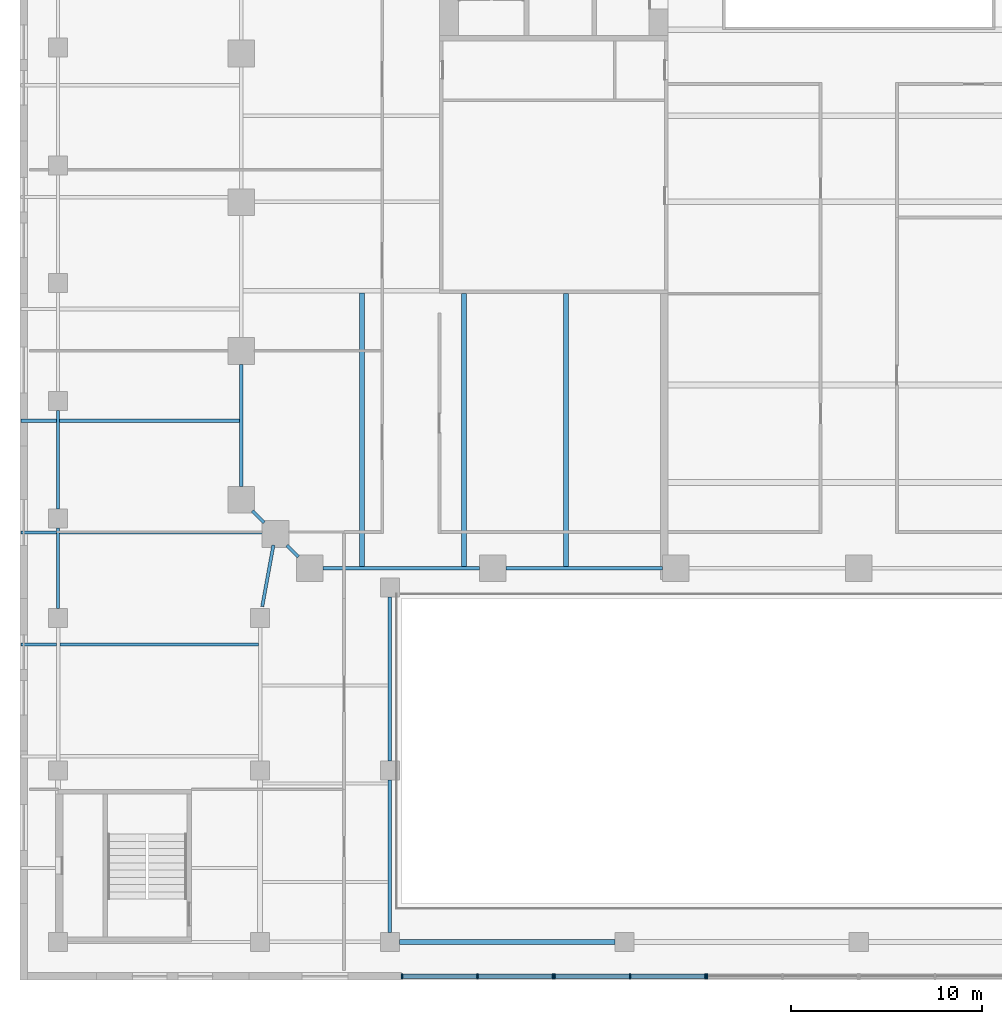
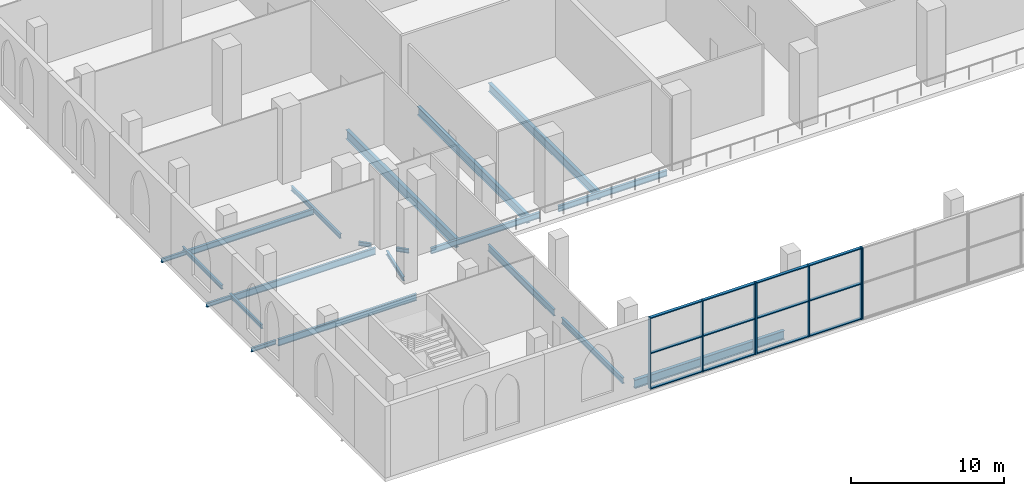
# One storey, part 2 of 21: 20 beams, 19 members, 3 elements without a shape of their own.
"""IFC4 building model written with IfcOpenShell, lengths in metres."""

from ifc_helpers import new_model, si_unit, direction, frame, origin, origin_2d, place, context, subcontext, project, spatial, rectangle, i_section, extrude, material, material_profile, profile_set, type_object, element, aggregate, save


model = new_model("IFC4")

# Units and contexts
model_context = context("Model", 3, precision=1e-05, world=origin(), true_north=direction((0.0, 1.0)))
body_context = subcontext(model_context, "Body", "Model", "MODEL_VIEW")
ifc_project = project(units=[si_unit("LENGTHUNIT", "METRE"), si_unit("AREAUNIT", "SQUARE_METRE"), si_unit("VOLUMEUNIT", "CUBIC_METRE"), si_unit("PLANEANGLEUNIT", "RADIAN"), si_unit("MASSUNIT", "GRAM", prefix="KILO")], contexts=[model_context])

# Site, building, storey
site_placement = place(None, origin())
site = spatial("IfcSite", under=ifc_project, at=site_placement, CompositionType="ELEMENT")
building_placement = place(site_placement, origin())
building = spatial("IfcBuilding", under=site, at=building_placement, Name="Ogive Exchange Tower", CompositionType="ELEMENT")
storey_placement = place(building_placement, frame((0.0, 0.0, 8.0)))
storey = spatial("IfcBuildingStorey", under=building, at=storey_placement, Name="L01", CompositionType="ELEMENT", Elevation=8.0)

# Beams
ifc_material_1 = material(Name="Steel ASTM A992 Gr50", Category="steel")
ifc_material_profile_1 = material_profile(ifc_material_1, i_section(OverallWidth=0.1650390625, OverallDepth=0.31005859375, WebThickness=0.005859375, FlangeThickness=0.009765625, at=origin_2d()), Name="W310x38.7")
ifc_profile_set_1 = profile_set([ifc_material_profile_1], Name="Steel ASTM A992 Gr50")
beam_type_1 = type_object("IfcBeamType", Name="Floor beam W310x38.7", PredefinedType="JOIST", material=ifc_profile_set_1)
beam_1_placement = place(storey_placement, frame((-43.949951171875, -34.39990234375, -0.455078125), z_axis=(1.0, 0.0, 0.0), x_axis=(0.0, 1.0, 0.0)))
element("IfcBeam", 1, at=beam_1_placement, inside=storey, type_object=beam_type_1, Name="Floor beam", PredefinedType="JOIST", context=body_context, shape_type="SweptSolid", body=[
    extrude(i_section(OverallWidth=0.1650390625, OverallDepth=0.31005859375, WebThickness=0.005859375, FlangeThickness=0.009765625, at=origin_2d()), origin(), (0.0, 0.0, 1.0), 1.86083984375),
])
for number, where, z_axis, x_axis, name in (
    (2, (-43.949951171875, -28.533203125, -0.455078125), (1.0, 0.0, 0.0), (0.0, 1.0, 0.0), "Floor beam"),
    (3, (-43.949951171875, -22.666748046875, -0.455078125), (1.0, 0.0, 0.0), (0.0, 1.0, 0.0), "Floor beam"),
):
    element("IfcBeam", number, at=place(storey_placement, frame(where, z_axis=z_axis, x_axis=x_axis)), inside=storey, type_object=beam_type_1, Name=name, PredefinedType="JOIST", context=body_context, shape_type="SweptSolid", body=[
        extrude(i_section(OverallWidth=0.1650390625, OverallDepth=0.31005859375, WebThickness=0.005859375, FlangeThickness=0.009765625, at=origin_2d()), origin(), (0.0, 0.0, 1.0), 1.867431640625),
    ])
ifc_material_profile_2 = material_profile(ifc_material_1, i_section(OverallWidth=0.19091796875, OverallDepth=0.45703125, WebThickness=0.009033203125, FlangeThickness=0.014404296875, at=origin_2d()), Name="W460x74")
ifc_profile_set_2 = profile_set([ifc_material_profile_2], Name="Steel ASTM A992 Gr50")
beam_type_2 = type_object("IfcBeamType", Name="Floor beam W460x74", PredefinedType="JOIST", material=ifc_profile_set_2)
beam_2_placement = place(storey_placement, frame((-41.91748046875, -22.666748046875, -0.528564453125), z_axis=(1.0, 0.0, 0.0), x_axis=(0.0, 1.0, 0.0)))
element("IfcBeam", 4, at=beam_2_placement, inside=storey, type_object=beam_type_2, Name="Floor beam", PredefinedType="JOIST", context=body_context, shape_type="SweptSolid", body=[
    extrude(i_section(OverallWidth=0.19091796875, OverallDepth=0.45703125, WebThickness=0.009033203125, FlangeThickness=0.014404296875, at=origin_2d()), origin(), (0.0, 0.0, 1.0), 9.431884765625),
])
ifc_material_profile_3 = material_profile(ifc_material_1, i_section(OverallWidth=0.1669921875, OverallDepth=0.535888671875, WebThickness=0.01025390625, FlangeThickness=0.0166015625, at=origin_2d()), Name="W530x85")
ifc_profile_set_3 = profile_set([ifc_material_profile_3], Name="Steel ASTM A992 Gr50")
beam_type_3 = type_object("IfcBeamType", Name="Floor beam W530x85", PredefinedType="JOIST", material=ifc_profile_set_3)
beam_3_placement = place(storey_placement, frame((-41.910888671875, -34.39990234375, -0.568115234375), z_axis=(1.0, 0.0, 0.0), x_axis=(0.0, 1.0, 0.0)))
element("IfcBeam", 5, at=beam_3_placement, inside=storey, type_object=beam_type_3, Name="Floor beam", PredefinedType="JOIST", context=body_context, shape_type="SweptSolid", body=[
    extrude(i_section(OverallWidth=0.1669921875, OverallDepth=0.535888671875, WebThickness=0.01025390625, FlangeThickness=0.0166015625, at=origin_2d()), origin(), (0.0, 0.0, 1.0), 10.421875),
])
beam_4_placement = place(storey_placement, frame((-41.91748046875, -28.533203125, -0.568115234375), z_axis=(1.0, 0.0, 0.0), x_axis=(0.0, 1.0, 0.0)))
element("IfcBeam", 6, at=beam_4_placement, inside=storey, type_object=beam_type_3, Name="Floor beam", PredefinedType="JOIST", context=body_context, shape_type="SweptSolid", body=[
    extrude(i_section(OverallWidth=0.1669921875, OverallDepth=0.535888671875, WebThickness=0.01025390625, FlangeThickness=0.0166015625, at=origin_2d()), origin(), (0.0, 0.0, 1.0), 10.717529296875),
])
ifc_material_profile_4 = material_profile(ifc_material_1, i_section(OverallWidth=0.25390625, OverallDepth=0.68310546875, WebThickness=0.012451171875, FlangeThickness=0.018798828125, at=origin_2d()), Name="W690x140")
ifc_profile_set_4 = profile_set([ifc_material_profile_4], Name="Steel ASTM A992 Gr50")
beam_type_4 = type_object("IfcBeamType", Name="Floor beam W690x140", PredefinedType="JOIST", material=ifc_profile_set_4)
for number, where, z_axis, x_axis, name in (
    (7, (-20.699951171875, -30.304443359375, -0.6416015625), (0.0, 1.0, 0.0), (-1.0, 0.0, 0.0), "Floor beam"),
    (8, (-15.35009765625, -30.304443359375, -0.6416015625), (0.0, 1.0, 0.0), (-1.0, 0.0, 0.0), "Floor beam"),
):
    element("IfcBeam", number, at=place(storey_placement, frame(where, z_axis=z_axis, x_axis=x_axis)), inside=storey, type_object=beam_type_4, Name=name, PredefinedType="JOIST", context=body_context, shape_type="SweptSolid", body=[
        extrude(i_section(OverallWidth=0.25390625, OverallDepth=0.68310546875, WebThickness=0.012451171875, FlangeThickness=0.018798828125, at=origin_2d()), origin(), (0.0, 0.0, 1.0), 14.304443359375),
    ])
ifc_material_profile_5 = material_profile(ifc_material_1, i_section(OverallWidth=0.26708984375, OverallDepth=0.75390625, WebThickness=0.01318359375, FlangeThickness=0.01708984375, at=origin_2d()), Name="W760x147")
ifc_profile_set_5 = profile_set([ifc_material_profile_5], Name="Steel ASTM A992 Gr50")
beam_type_5 = type_object("IfcBeamType", Name="Floor beam W760x147", PredefinedType="JOIST", material=ifc_profile_set_5)
beam_5_placement = place(storey_placement, frame((-26.050048828125, -30.304443359375, -0.677001953125), z_axis=(0.0, 1.0, 0.0), x_axis=(-1.0, 0.0, 0.0)))
element("IfcBeam", 9, at=beam_5_placement, inside=storey, type_object=beam_type_5, Name="Floor beam", PredefinedType="JOIST", context=body_context, shape_type="SweptSolid", body=[
    extrude(i_section(OverallWidth=0.26708984375, OverallDepth=0.75390625, WebThickness=0.01318359375, FlangeThickness=0.01708984375, at=origin_2d()), origin(), (0.0, 0.0, 1.0), 14.345458984375),
])

# Curtain wall, members
ifc_material_2 = material(Name="Anodised aluminium and clear glass", Category="aluminium")
curtain_wall_type = type_object("IfcCurtainWallType", Name="Galleria end wall glazing", PredefinedType="NOTDEFINED", material=ifc_material_2)
curtain_wall_1_placement = place(storey_placement, origin())
curtain_wall_1 = element("IfcCurtainWall", 10, at=curtain_wall_1_placement, inside=storey, type_object=curtain_wall_type, Name="Galleria end wall glazing run GE4", PredefinedType="NOTDEFINED")
ifc_material_3 = material(Name="Anodised aluminium", Category="aluminium")
ifc_material_profile_6 = material_profile(ifc_material_3, rectangle(XDim=0.260009765625, YDim=0.080078125, at=origin_2d()), Name="AL 80x260")
ifc_profile_set_6 = profile_set([ifc_material_profile_6], Name="Anodised aluminium")
member_type_1 = type_object("IfcMemberType", Name="Galleria end wall glazing mullion 80 x 260", PredefinedType="MULLION", material=ifc_profile_set_6)
member_1_placement = place(storey_placement, frame((-23.9599609375, -51.800048828125, 0.0), z_axis=(0.0, 0.0, 1.0), x_axis=(0.0, 1.0, 0.0)))
member_1 = element("IfcMember", 11, at=member_1_placement, type_object=member_type_1, Name="GE4 mullion 1", PredefinedType="MULLION", context=body_context, shape_type="SweptSolid", body=[
    extrude(rectangle(XDim=0.260009765625, YDim=0.080078125, at=origin_2d()), origin(), (0.0, 0.0, 1.0), 5.699951171875),
])
member_2_placement = place(storey_placement, frame((-20.0, -51.800048828125, 0.0), z_axis=(0.0, 0.0, 1.0), x_axis=(0.0, 1.0, 0.0)))
member_2 = element("IfcMember", 12, at=member_2_placement, type_object=member_type_1, Name="GE4 mullion 2", PredefinedType="MULLION", context=body_context, shape_type="SweptSolid", body=[
    extrude(rectangle(XDim=0.260009765625, YDim=0.080078125, at=origin_2d()), origin(), (0.0, 0.0, 1.0), 5.699951171875),
])
member_3_placement = place(storey_placement, frame((-16.0400390625, -51.800048828125, 0.0), z_axis=(0.0, 0.0, 1.0), x_axis=(0.0, 1.0, 0.0)))
member_3 = element("IfcMember", 13, at=member_3_placement, type_object=member_type_1, Name="GE4 mullion 3", PredefinedType="MULLION", context=body_context, shape_type="SweptSolid", body=[
    extrude(rectangle(XDim=0.260009765625, YDim=0.080078125, at=origin_2d()), origin(), (0.0, 0.0, 1.0), 5.699951171875),
])

curtain_wall_2_placement = place(storey_placement, origin())
curtain_wall_2 = element("IfcCurtainWall", 14, at=curtain_wall_2_placement, inside=storey, type_object=curtain_wall_type, Name="Galleria end wall glazing run GE5", PredefinedType="NOTDEFINED")
member_4_placement = place(storey_placement, frame((-15.9599609375, -51.800048828125, 0.0), z_axis=(0.0, 0.0, 1.0), x_axis=(0.0, 1.0, 0.0)))
member_4 = element("IfcMember", 15, at=member_4_placement, type_object=member_type_1, Name="GE5 mullion 1", PredefinedType="MULLION", context=body_context, shape_type="SweptSolid", body=[
    extrude(rectangle(XDim=0.260009765625, YDim=0.080078125, at=origin_2d()), origin(), (0.0, 0.0, 1.0), 5.699951171875),
])
member_5_placement = place(storey_placement, frame((-12.0, -51.800048828125, 0.0), z_axis=(0.0, 0.0, 1.0), x_axis=(0.0, 1.0, 0.0)))
member_5 = element("IfcMember", 16, at=member_5_placement, type_object=member_type_1, Name="GE5 mullion 2", PredefinedType="MULLION", context=body_context, shape_type="SweptSolid", body=[
    extrude(rectangle(XDim=0.260009765625, YDim=0.080078125, at=origin_2d()), origin(), (0.0, 0.0, 1.0), 5.699951171875),
])
member_6_placement = place(storey_placement, frame((-8.0400390625, -51.800048828125, 0.0), z_axis=(0.0, 0.0, 1.0), x_axis=(0.0, 1.0, 0.0)))
member_6 = element("IfcMember", 17, at=member_6_placement, type_object=member_type_1, Name="GE5 mullion 3", PredefinedType="MULLION", context=body_context, shape_type="SweptSolid", body=[
    extrude(rectangle(XDim=0.260009765625, YDim=0.080078125, at=origin_2d()), origin(), (0.0, 0.0, 1.0), 5.699951171875),
])

# Curtain wall, member
curtain_wall_3_placement = place(storey_placement, origin())
curtain_wall_3 = element("IfcCurtainWall", 18, at=curtain_wall_3_placement, inside=storey, type_object=curtain_wall_type, Name="Galleria end wall glazing run GE6", PredefinedType="NOTDEFINED")
member_7_placement = place(storey_placement, frame((-7.9599609375, -51.800048828125, 0.0), z_axis=(0.0, 0.0, 1.0), x_axis=(0.0, 1.0, 0.0)))
member_7 = element("IfcMember", 19, at=member_7_placement, type_object=member_type_1, Name="GE6 mullion 1", PredefinedType="MULLION", context=body_context, shape_type="SweptSolid", body=[
    extrude(rectangle(XDim=0.260009765625, YDim=0.080078125, at=origin_2d()), origin(), (0.0, 0.0, 1.0), 5.699951171875),
])
aggregate(curtain_wall_3, [member_7])

# Member
ifc_material_profile_7 = material_profile(ifc_material_3, rectangle(XDim=0.219970703125, YDim=0.080078125, at=origin_2d()), Name="AL 80x220")
ifc_profile_set_7 = profile_set([ifc_material_profile_7], Name="Anodised aluminium")
member_type_2 = type_object("IfcMemberType", Name="Galleria end wall glazing transom 80 x 220", PredefinedType="USERDEFINED", material=ifc_profile_set_7)
member_8_placement = place(storey_placement, frame((-23.919921875, -51.800048828125, 0.0400390625), z_axis=(1.0, 0.0, 0.0), x_axis=(0.0, 1.0, 0.0)))
member_8 = element("IfcMember", 20, at=member_8_placement, type_object=member_type_2, Name="GE4 transom 1.1", ObjectType="TRANSOM", PredefinedType="USERDEFINED", context=body_context, shape_type="SweptSolid", body=[
    extrude(rectangle(XDim=0.219970703125, YDim=0.080078125, at=origin_2d()), origin(), (0.0, 0.0, 1.0), 3.8798828125),
])

member_9_placement = place(storey_placement, frame((-23.919921875, -51.800048828125, 2.85009765625), z_axis=(1.0, 0.0, 0.0), x_axis=(0.0, 1.0, 0.0)))
member_9 = element("IfcMember", 21, at=member_9_placement, type_object=member_type_2, Name="GE4 transom 1.2", ObjectType="TRANSOM", PredefinedType="USERDEFINED", context=body_context, shape_type="SweptSolid", body=[
    extrude(rectangle(XDim=0.219970703125, YDim=0.080078125, at=origin_2d()), origin(), (0.0, 0.0, 1.0), 3.8798828125),
])

member_10_placement = place(storey_placement, frame((-23.919921875, -51.800048828125, 5.659912109375), z_axis=(1.0, 0.0, 0.0), x_axis=(0.0, 1.0, 0.0)))
member_10 = element("IfcMember", 22, at=member_10_placement, type_object=member_type_2, Name="GE4 transom 1.3", ObjectType="TRANSOM", PredefinedType="USERDEFINED", context=body_context, shape_type="SweptSolid", body=[
    extrude(rectangle(XDim=0.219970703125, YDim=0.080078125, at=origin_2d()), origin(), (0.0, 0.0, 1.0), 3.8798828125),
])

member_11_placement = place(storey_placement, frame((-19.9599609375, -51.800048828125, 0.0400390625), z_axis=(1.0, 0.0, 0.0), x_axis=(0.0, 1.0, 0.0)))
member_11 = element("IfcMember", 23, at=member_11_placement, type_object=member_type_2, Name="GE4 transom 2.1", ObjectType="TRANSOM", PredefinedType="USERDEFINED", context=body_context, shape_type="SweptSolid", body=[
    extrude(rectangle(XDim=0.219970703125, YDim=0.080078125, at=origin_2d()), origin(), (0.0, 0.0, 1.0), 3.8798828125),
])

member_12_placement = place(storey_placement, frame((-19.9599609375, -51.800048828125, 2.85009765625), z_axis=(1.0, 0.0, 0.0), x_axis=(0.0, 1.0, 0.0)))
member_12 = element("IfcMember", 24, at=member_12_placement, type_object=member_type_2, Name="GE4 transom 2.2", ObjectType="TRANSOM", PredefinedType="USERDEFINED", context=body_context, shape_type="SweptSolid", body=[
    extrude(rectangle(XDim=0.219970703125, YDim=0.080078125, at=origin_2d()), origin(), (0.0, 0.0, 1.0), 3.8798828125),
])

member_13_placement = place(storey_placement, frame((-19.9599609375, -51.800048828125, 5.659912109375), z_axis=(1.0, 0.0, 0.0), x_axis=(0.0, 1.0, 0.0)))
member_13 = element("IfcMember", 25, at=member_13_placement, type_object=member_type_2, Name="GE4 transom 2.3", ObjectType="TRANSOM", PredefinedType="USERDEFINED", context=body_context, shape_type="SweptSolid", body=[
    extrude(rectangle(XDim=0.219970703125, YDim=0.080078125, at=origin_2d()), origin(), (0.0, 0.0, 1.0), 3.8798828125),
])

aggregate(curtain_wall_1, [member_1, member_2, member_3, member_8, member_9, member_10, member_11, member_12, member_13])

member_14_placement = place(storey_placement, frame((-15.919921875, -51.800048828125, 0.0400390625), z_axis=(1.0, 0.0, 0.0), x_axis=(0.0, 1.0, 0.0)))
member_14 = element("IfcMember", 26, at=member_14_placement, type_object=member_type_2, Name="GE5 transom 1.1", ObjectType="TRANSOM", PredefinedType="USERDEFINED", context=body_context, shape_type="SweptSolid", body=[
    extrude(rectangle(XDim=0.219970703125, YDim=0.080078125, at=origin_2d()), origin(), (0.0, 0.0, 1.0), 3.8798828125),
])

member_15_placement = place(storey_placement, frame((-15.919921875, -51.800048828125, 2.85009765625), z_axis=(1.0, 0.0, 0.0), x_axis=(0.0, 1.0, 0.0)))
member_15 = element("IfcMember", 27, at=member_15_placement, type_object=member_type_2, Name="GE5 transom 1.2", ObjectType="TRANSOM", PredefinedType="USERDEFINED", context=body_context, shape_type="SweptSolid", body=[
    extrude(rectangle(XDim=0.219970703125, YDim=0.080078125, at=origin_2d()), origin(), (0.0, 0.0, 1.0), 3.8798828125),
])

member_16_placement = place(storey_placement, frame((-15.919921875, -51.800048828125, 5.659912109375), z_axis=(1.0, 0.0, 0.0), x_axis=(0.0, 1.0, 0.0)))
member_16 = element("IfcMember", 28, at=member_16_placement, type_object=member_type_2, Name="GE5 transom 1.3", ObjectType="TRANSOM", PredefinedType="USERDEFINED", context=body_context, shape_type="SweptSolid", body=[
    extrude(rectangle(XDim=0.219970703125, YDim=0.080078125, at=origin_2d()), origin(), (0.0, 0.0, 1.0), 3.8798828125),
])

member_17_placement = place(storey_placement, frame((-11.9599609375, -51.800048828125, 0.0400390625), z_axis=(1.0, 0.0, 0.0), x_axis=(0.0, 1.0, 0.0)))
member_17 = element("IfcMember", 29, at=member_17_placement, type_object=member_type_2, Name="GE5 transom 2.1", ObjectType="TRANSOM", PredefinedType="USERDEFINED", context=body_context, shape_type="SweptSolid", body=[
    extrude(rectangle(XDim=0.219970703125, YDim=0.080078125, at=origin_2d()), origin(), (0.0, 0.0, 1.0), 3.8798828125),
])

member_18_placement = place(storey_placement, frame((-11.9599609375, -51.800048828125, 2.85009765625), z_axis=(1.0, 0.0, 0.0), x_axis=(0.0, 1.0, 0.0)))
member_18 = element("IfcMember", 30, at=member_18_placement, type_object=member_type_2, Name="GE5 transom 2.2", ObjectType="TRANSOM", PredefinedType="USERDEFINED", context=body_context, shape_type="SweptSolid", body=[
    extrude(rectangle(XDim=0.219970703125, YDim=0.080078125, at=origin_2d()), origin(), (0.0, 0.0, 1.0), 3.8798828125),
])

member_19_placement = place(storey_placement, frame((-11.9599609375, -51.800048828125, 5.659912109375), z_axis=(1.0, 0.0, 0.0), x_axis=(0.0, 1.0, 0.0)))
member_19 = element("IfcMember", 31, at=member_19_placement, type_object=member_type_2, Name="GE5 transom 2.3", ObjectType="TRANSOM", PredefinedType="USERDEFINED", context=body_context, shape_type="SweptSolid", body=[
    extrude(rectangle(XDim=0.219970703125, YDim=0.080078125, at=origin_2d()), origin(), (0.0, 0.0, 1.0), 3.8798828125),
])

aggregate(curtain_wall_2, [member_4, member_5, member_6, member_14, member_15, member_16, member_17, member_18, member_19])

# Beams
ifc_material_profile_8 = material_profile(ifc_material_1, i_section(OverallWidth=0.1650390625, OverallDepth=0.31005859375, WebThickness=0.005859375, FlangeThickness=0.009765625, at=origin_2d()), Name="W310x38.7")
ifc_profile_set_8 = profile_set([ifc_material_profile_8], Name="Steel ASTM A992 Gr50")
beam_type_6 = type_object("IfcBeamType", Name="Girder W310x38.7", PredefinedType="BEAM", material=ifc_profile_set_8)
for number, where, z_axis, x_axis, name in (
    (32, (-31.805908203125, -27.39404296875, -0.455078125), (0.706965712506, -0.707247821729, 0.0), (0.707247821729, 0.706965712506, 0.0), "Girder"),
    (33, (-30.006103515625, -29.194091796875, -0.455078125), (0.707247821729, -0.706965712506, 0.0), (0.706965712506, 0.707247821729, 0.0), "Girder"),
):
    element("IfcBeam", number, at=place(storey_placement, frame(where, z_axis=z_axis, x_axis=x_axis)), inside=storey, type_object=beam_type_6, Name=name, PredefinedType="BEAM", context=body_context, shape_type="SweptSolid", body=[
        extrude(i_section(OverallWidth=0.1650390625, OverallDepth=0.31005859375, WebThickness=0.005859375, FlangeThickness=0.009765625, at=origin_2d()), origin(), (0.0, 0.0, 1.0), 0.865478515625),
    ])
beam_6_placement = place(storey_placement, frame((-31.292724609375, -32.40966796875, -0.455078125), z_axis=(0.178911700404, 0.983865134792, 0.0), x_axis=(-0.983865134792, 0.178911700404, 0.0)))
element("IfcBeam", 34, at=beam_6_placement, inside=storey, type_object=beam_type_6, Name="Girder", PredefinedType="BEAM", context=body_context, shape_type="SweptSolid", body=[
    extrude(i_section(OverallWidth=0.1650390625, OverallDepth=0.31005859375, WebThickness=0.005859375, FlangeThickness=0.009765625, at=origin_2d()), origin(), (0.0, 0.0, 1.0), 3.272216796875),
])
beam_7_placement = place(storey_placement, frame((-42.0, -32.5, -0.455078125), z_axis=(0.0, 1.0, 0.0), x_axis=(-1.0, 0.0, 0.0)))
element("IfcBeam", 35, at=beam_7_placement, inside=storey, type_object=beam_type_6, Name="Girder", PredefinedType="BEAM", context=body_context, shape_type="SweptSolid", body=[
    extrude(i_section(OverallWidth=0.1650390625, OverallDepth=0.31005859375, WebThickness=0.005859375, FlangeThickness=0.009765625, at=origin_2d()), origin(), (0.0, 0.0, 1.0), 4.199951171875),
])
beam_8_placement = place(storey_placement, frame((-42.0, -27.300048828125, -0.455078125), z_axis=(0.0, 1.0, 0.0), x_axis=(-1.0, 0.0, 0.0)))
element("IfcBeam", 36, at=beam_8_placement, inside=storey, type_object=beam_type_6, Name="Girder", PredefinedType="BEAM", context=body_context, shape_type="SweptSolid", body=[
    extrude(i_section(OverallWidth=0.1650390625, OverallDepth=0.31005859375, WebThickness=0.005859375, FlangeThickness=0.009765625, at=origin_2d()), origin(), (0.0, 0.0, 1.0), 5.179931640625),
])
ifc_material_profile_9 = material_profile(ifc_material_1, i_section(OverallWidth=0.1708984375, OverallDepth=0.35595703125, WebThickness=0.00732421875, FlangeThickness=0.01171875, at=origin_2d()), Name="W360x51")
ifc_profile_set_9 = profile_set([ifc_material_profile_9], Name="Steel ASTM A992 Gr50")
beam_type_7 = type_object("IfcBeamType", Name="Girder W360x51", PredefinedType="BEAM", material=ifc_profile_set_9)
beam_9_placement = place(storey_placement, frame((-32.39990234375, -19.699951171875, -0.47802734375), z_axis=(0.0, -1.0, 0.0), x_axis=(1.0, 0.0, 0.0)))
element("IfcBeam", 37, at=beam_9_placement, inside=storey, type_object=beam_type_7, Name="Girder", PredefinedType="BEAM", context=body_context, shape_type="SweptSolid", body=[
    extrude(i_section(OverallWidth=0.1708984375, OverallDepth=0.35595703125, WebThickness=0.00732421875, FlangeThickness=0.01171875, at=origin_2d()), origin(), (0.0, 0.0, 1.0), 6.400146484375),
])
ifc_material_profile_10 = material_profile(ifc_material_1, i_section(OverallWidth=0.19091796875, OverallDepth=0.45703125, WebThickness=0.009033203125, FlangeThickness=0.014404296875, at=origin_2d()), Name="W460x74")
ifc_profile_set_10 = profile_set([ifc_material_profile_10], Name="Steel ASTM A992 Gr50")
beam_type_8 = type_object("IfcBeamType", Name="Girder W460x74", PredefinedType="BEAM", material=ifc_profile_set_10)
beam_10_placement = place(storey_placement, frame((-28.10009765625, -30.39990234375, -0.528564453125), z_axis=(1.0, 0.0, 0.0), x_axis=(0.0, 1.0, 0.0)))
element("IfcBeam", 38, at=beam_10_placement, inside=storey, type_object=beam_type_8, Name="Girder", PredefinedType="BEAM", context=body_context, shape_type="SweptSolid", body=[
    extrude(i_section(OverallWidth=0.19091796875, OverallDepth=0.45703125, WebThickness=0.009033203125, FlangeThickness=0.014404296875, at=origin_2d()), origin(), (0.0, 0.0, 1.0), 8.2001953125),
])
beam_11_placement = place(storey_placement, frame((-18.5, -30.39990234375, -0.528564453125), z_axis=(1.0, 0.0, 0.0), x_axis=(0.0, 1.0, 0.0)))
element("IfcBeam", 39, at=beam_11_placement, inside=storey, type_object=beam_type_8, Name="Girder", PredefinedType="BEAM", context=body_context, shape_type="SweptSolid", body=[
    extrude(i_section(OverallWidth=0.19091796875, OverallDepth=0.45703125, WebThickness=0.009033203125, FlangeThickness=0.014404296875, at=origin_2d()), origin(), (0.0, 0.0, 1.0), 8.199951171875),
])
beam_12_placement = place(storey_placement, frame((-24.60009765625, -49.5, -0.528564453125), z_axis=(0.0, 1.0, 0.0), x_axis=(-1.0, 0.0, 0.0)))
element("IfcBeam", 40, at=beam_12_placement, inside=storey, type_object=beam_type_8, Name="Girder", PredefinedType="BEAM", context=body_context, shape_type="SweptSolid", body=[
    extrude(i_section(OverallWidth=0.19091796875, OverallDepth=0.45703125, WebThickness=0.009033203125, FlangeThickness=0.014404296875, at=origin_2d()), origin(), (0.0, 0.0, 1.0), 8.0),
])
ifc_material_profile_11 = material_profile(ifc_material_1, i_section(OverallWidth=0.1669921875, OverallDepth=0.535888671875, WebThickness=0.01025390625, FlangeThickness=0.0166015625, at=origin_2d()), Name="W530x85")
ifc_profile_set_11 = profile_set([ifc_material_profile_11], Name="Steel ASTM A992 Gr50")
beam_type_9 = type_object("IfcBeamType", Name="Girder W530x85", PredefinedType="BEAM", material=ifc_profile_set_11)
beam_13_placement = place(storey_placement, frame((-24.60009765625, -40.5, -0.568115234375), z_axis=(0.0, 1.0, 0.0), x_axis=(-1.0, 0.0, 0.0)))
element("IfcBeam", 41, at=beam_13_placement, inside=storey, type_object=beam_type_9, Name="Girder", PredefinedType="BEAM", context=body_context, shape_type="SweptSolid", body=[
    extrude(i_section(OverallWidth=0.1669921875, OverallDepth=0.535888671875, WebThickness=0.01025390625, FlangeThickness=0.0166015625, at=origin_2d()), origin(), (0.0, 0.0, 1.0), 8.60009765625),
])
ifc_material_profile_12 = material_profile(ifc_material_1, i_section(OverallWidth=0.25390625, OverallDepth=0.677978515625, WebThickness=0.01171875, FlangeThickness=0.016357421875, at=origin_2d()), Name="W690x125")
ifc_profile_set_12 = profile_set([ifc_material_profile_12], Name="Steel ASTM A992 Gr50")
beam_type_10 = type_object("IfcBeamType", Name="Girder W690x125", PredefinedType="BEAM", material=ifc_profile_set_12)
beam_14_placement = place(storey_placement, frame((-24.10009765625, -50.0, -0.638916015625), z_axis=(1.0, 0.0, 0.0), x_axis=(0.0, 1.0, 0.0)))
element("IfcBeam", 42, at=beam_14_placement, inside=storey, type_object=beam_type_10, Name="Girder", PredefinedType="BEAM", context=body_context, shape_type="SweptSolid", body=[
    extrude(i_section(OverallWidth=0.25390625, OverallDepth=0.677978515625, WebThickness=0.01171875, FlangeThickness=0.016357421875, at=origin_2d()), origin(), (0.0, 0.0, 1.0), 11.300048828125),
])

save(model, "model.ifc")
